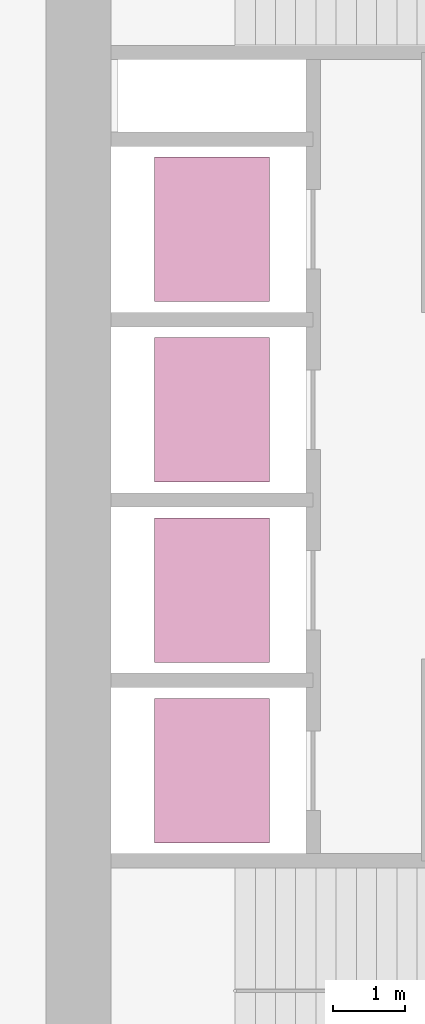
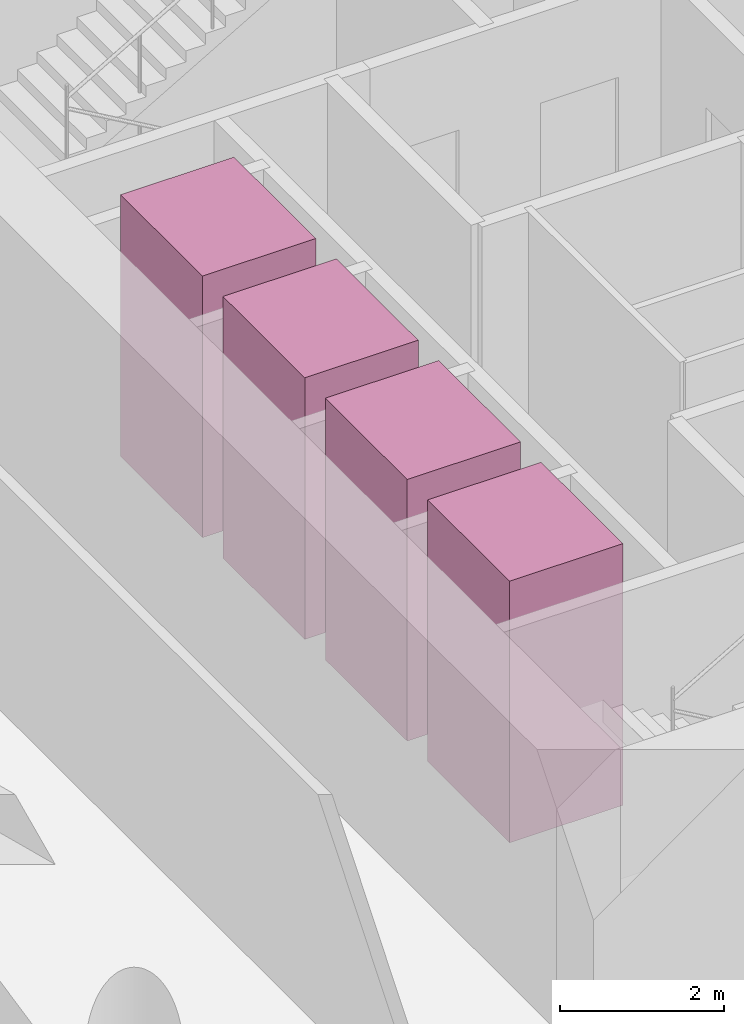
# One storey, part 10 of 10: 4 transport elements.
"""IFC4 building model written with IfcOpenShell, lengths in metres."""

from ifc_helpers import new_model, si_unit, direction, frame, origin, origin_2d, place, context, subcontext, project, spatial, rectangle, extrude, material, type_object, element, save


model = new_model("IFC4")

# Units and contexts
model_context = context("Model", 3, precision=1e-05, world=origin(), true_north=direction((0.0, 1.0)))
body_context = subcontext(model_context, "Body", "Model", "MODEL_VIEW")
ifc_project = project(units=[si_unit("LENGTHUNIT", "METRE"), si_unit("AREAUNIT", "SQUARE_METRE"), si_unit("VOLUMEUNIT", "CUBIC_METRE"), si_unit("PLANEANGLEUNIT", "RADIAN"), si_unit("MASSUNIT", "GRAM", prefix="KILO")], contexts=[model_context])

# Site, building, storey
site_placement = place(None, origin())
site = spatial("IfcSite", under=ifc_project, at=site_placement, CompositionType="ELEMENT")
building_placement = place(site_placement, origin())
building = spatial("IfcBuilding", under=site, at=building_placement, Name="Qaws Garden Tower", CompositionType="ELEMENT")
storey_placement = place(building_placement, frame((0.0, 0.0, 113.39990234375)))
storey = spatial("IfcBuildingStorey", under=building, at=storey_placement, Name="L28", CompositionType="ELEMENT", Elevation=113.39990234375)

# Transport elements
ifc_material = material(Name="Stainless steel 316", Category="steel")
transport_element_type = type_object("IfcTransportElementType", Name="Passenger lift car 2000x1600 1800 kg", PredefinedType="ELEVATOR", material=ifc_material)
for number, where, z_axis, x_axis, name in (
    (1, (10.300048828125, 13.64990234375, 0.000244140625), (0.0, 0.0, 1.0), (1.0, 0.0, 0.0), "LR1"),
    (2, (10.300048828125, 16.14990234375, 0.000244140625), (0.0, 0.0, 1.0), (1.0, 0.0, 0.0), "LR2"),
    (3, (10.300048828125, 18.64990234375, 0.000244140625), (0.0, 0.0, 1.0), (1.0, 0.0, 0.0), "LR3"),
    (4, (10.300048828125, 21.14990234375, 0.000244140625), (0.0, 0.0, 1.0), (1.0, 0.0, 0.0), "LR4"),
):
    element("IfcTransportElement", number, at=place(storey_placement, frame(where, z_axis=z_axis, x_axis=x_axis)), inside=storey, type_object=transport_element_type, Name=name, PredefinedType="ELEVATOR", context=body_context, shape_type="SweptSolid", body=[
        extrude(rectangle(XDim=1.60009765625, YDim=2.0, at=origin_2d()), origin(), (0.0, 0.0, 1.0), 3.89990234375),
    ])

save(model, "model.ifc")
